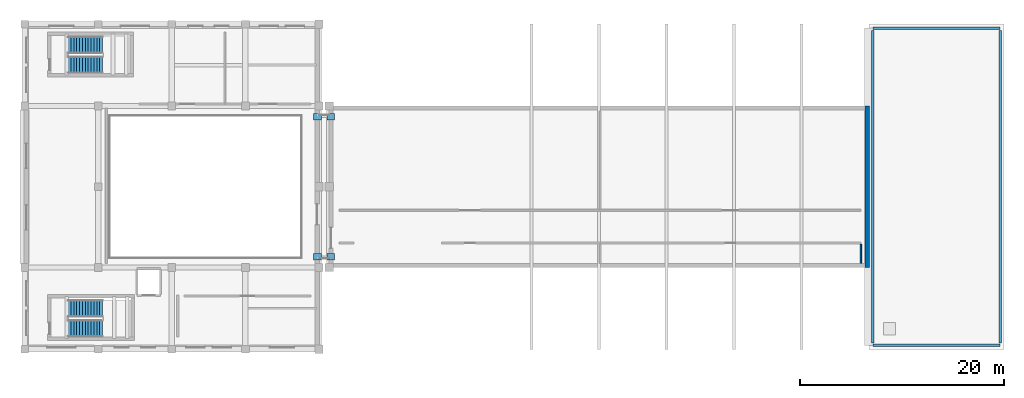
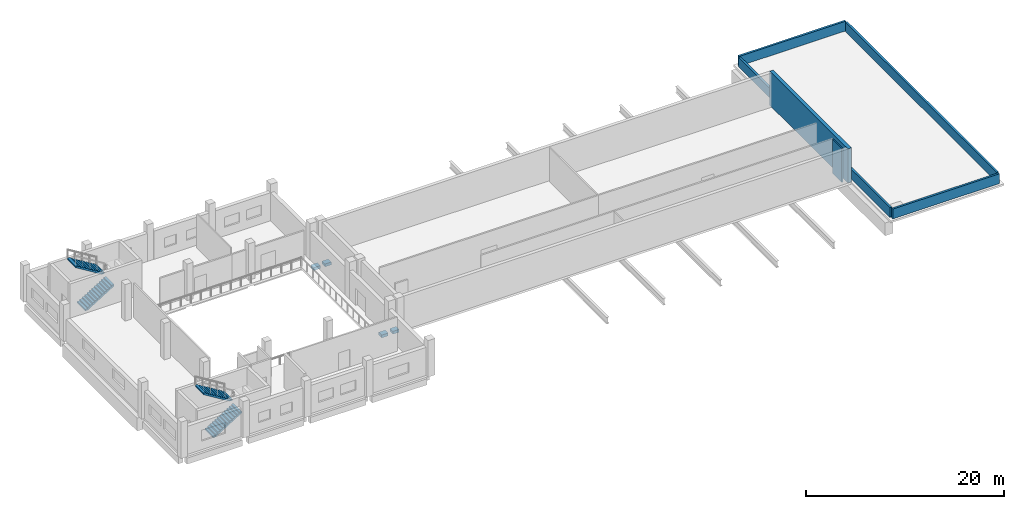
# One storey, part 5 of 7: 6 walls, 4 discrete accessories, 4 stair flights, 2 elements without a shape of their own.
"""IFC4 building model written with IfcOpenShell, lengths in metres."""

import ifcopenshell
import ifcopenshell.guid

model = None  # the IFC model being written
_history = None  # IfcOwnerHistory: only IFC2X3 demands one
_inside = {}  # id of a spatial element -> (the spatial element, [elements in it])
_under = {}  # id of a project, library or spatial element -> (it, [spatial elements below it])
_declared = {}  # id of a project -> (the project, [libraries it declares])
_typed = {}  # id of a type object -> (the type object, [elements of that type])
_made_of = {}  # id of a material, layer set ... -> (it, [elements and type objects made of it])


def new_model(schema):
    """Start an empty IFC model of exactly this schema.

    Asked for "IFC4X3", IfcOpenShell would pick the latest addendum, in which some entities
    have other attributes; the version numbers below select the first issue.
    IFC2X3 requires an IfcOwnerHistory on every rooted entity: one is made here for all.
    """
    global model, _history
    if schema == "IFC4X3":
        model = ifcopenshell.file(schema_version=(4, 3, 0, 0))
    else:
        model = ifcopenshell.file(schema=schema)
    _inside.clear()
    _under.clear()
    _declared.clear()
    _typed.clear()
    _made_of.clear()
    _history = None
    if model.schema == "IFC2X3":
        org = make("IfcOrganization", Name="unknown")
        user = make(
            "IfcPersonAndOrganization",
            ThePerson=make("IfcPerson", FamilyName="unknown"),
            TheOrganization=org,
        )
        app = make(
            "IfcApplication",
            ApplicationDeveloper=org,
            Version="unknown",
            ApplicationFullName="unknown",
            ApplicationIdentifier="unknown",
        )
        _history = make(
            "IfcOwnerHistory",
            OwningUser=user,
            OwningApplication=app,
            ChangeAction="ADDED",
            CreationDate=0,
        )
    return model


def make(cls, **values):
    """One entity of the class cls with the attributes given. An attribute that is None is left unset."""
    return model.create_entity(
        cls, **{name: value for name, value in values.items() if value is not None}
    )


def rooted(cls, **values):
    """An entity with a GlobalId (a new one), such as an element, a storey or a relation."""
    return make(cls, GlobalId=ifcopenshell.guid.new(), OwnerHistory=_history, **values)


def si_unit(unit_type, name, prefix=None):
    """IfcSIUnit, for example si_unit("LENGTHUNIT", "METRE", prefix="MILLI")."""
    return make("IfcSIUnit", UnitType=unit_type, Prefix=prefix, Name=name)


def assignment(units):
    """IfcUnitAssignment: the units of a project."""
    return None if units is None else make("IfcUnitAssignment", Units=units)


def point(xyz):
    """IfcCartesianPoint."""
    return None if xyz is None else make("IfcCartesianPoint", Coordinates=xyz)


def direction(xyz):
    """IfcDirection."""
    return None if xyz is None else make("IfcDirection", DirectionRatios=xyz)


def frame(location, z_axis=None, x_axis=None):
    """IfcAxis2Placement3D, a coordinate frame: its origin and axes. An axis left out is left unset."""
    return make(
        "IfcAxis2Placement3D",
        Location=point(location),
        Axis=direction(z_axis),
        RefDirection=direction(x_axis),
    )


def frame_2d(location, x_axis=None):
    """IfcAxis2Placement2D, a coordinate frame in the plane: its origin and x axis."""
    return make(
        "IfcAxis2Placement2D", Location=point(location), RefDirection=direction(x_axis)
    )


def origin():
    """The frame at (0, 0, 0) with its axes left unset."""
    return frame((0.0, 0.0, 0.0))


def origin_2d():
    """The frame at (0, 0) in the plane with its x axis left unset."""
    return frame_2d((0.0, 0.0))


def place(relative_to, where):
    """IfcLocalPlacement: puts the frame where relative to a parent placement (None: the world)."""
    return make(
        "IfcLocalPlacement", PlacementRelTo=relative_to, RelativePlacement=where
    )


def context(
    kind, dimensions, precision=None, world=None, true_north=None, identifier=None
):
    """IfcGeometricRepresentationContext, for example the 3D "Model" context."""
    return make(
        "IfcGeometricRepresentationContext",
        ContextIdentifier=identifier,
        ContextType=kind,
        CoordinateSpaceDimension=dimensions,
        Precision=precision,
        WorldCoordinateSystem=world,
        TrueNorth=true_north,
    )


def subcontext(parent, identifier, kind, view, scale=None):
    """IfcGeometricRepresentationSubContext, for example "Body" below "Model"."""
    return make(
        "IfcGeometricRepresentationSubContext",
        ContextIdentifier=identifier,
        ContextType=kind,
        ParentContext=parent,
        TargetScale=scale,
        TargetView=view,
    )


def project(units=None, contexts=None):
    """IfcProject with its units and contexts."""
    return rooted(
        "IfcProject",
        Name="project",
        RepresentationContexts=contexts,
        UnitsInContext=assignment(units),
    )


def spatial(cls, under=None, at=None, **own):
    """A site, building, storey or space (cls), placed at a placement, below another one or the project."""
    s = rooted(cls, ObjectPlacement=at, **own)
    if under is not None:
        _under.setdefault(under.id(), (under, []))[1].append(s)
    return s


def polyline(points):
    """IfcPolyline through the points."""
    return make("IfcPolyline", Points=[point(p) for p in points])


def profile(cls, at=None, kind="AREA", **sizes):
    """A parametric profile (cls). Its sizes go by their IFC names, for example OverallWidth=200.0."""
    return make(cls, ProfileType=kind, Position=at, **sizes)


def rectangle(**sizes):
    """IfcRectangleProfileDef."""
    return profile("IfcRectangleProfileDef", **sizes)


def outline(outer, holes=None, kind="AREA"):
    """IfcArbitraryClosedProfileDef: a profile drawn as a closed curve; with holes, ...WithVoids."""
    if holes is None:
        return make("IfcArbitraryClosedProfileDef", ProfileType=kind, OuterCurve=outer)
    return make(
        "IfcArbitraryProfileDefWithVoids",
        ProfileType=kind,
        OuterCurve=outer,
        InnerCurves=holes,
    )


def extrude(swept, where, along, depth):
    """IfcExtrudedAreaSolid: the profile swept, set in the frame where, extruded along a direction by depth."""
    return make(
        "IfcExtrudedAreaSolid",
        SweptArea=swept,
        Position=where,
        ExtrudedDirection=direction(along),
        Depth=depth,
    )


def shape(context_of_items, identifier, shape_type, items):
    """IfcShapeRepresentation: the items that make up one representation, for example the "Body"."""
    return make(
        "IfcShapeRepresentation",
        ContextOfItems=context_of_items,
        RepresentationIdentifier=identifier,
        RepresentationType=shape_type,
        Items=items,
    )


def material(Name=None, Category=None):
    """IfcMaterial."""
    return make("IfcMaterial", Name=Name, Category=Category)


def layer(
    of_material, thickness, ventilated=None, Name=None, Category=None, Priority=None
):
    """IfcMaterialLayer: one layer of a wall or slab, of a material (None: an air gap)."""
    return make(
        "IfcMaterialLayer",
        Material=of_material,
        LayerThickness=thickness,
        IsVentilated=ventilated,
        Name=Name,
        Category=Category,
        Priority=Priority,
    )


def layer_set(layers, Name=None):
    """IfcMaterialLayerSet."""
    return make("IfcMaterialLayerSet", MaterialLayers=layers, LayerSetName=Name)


def made_of(thing, what):
    """Note that an element or type object is made of a material, layer set ...; save() writes the relation."""
    if what is not None:
        _made_of.setdefault(what.id(), (what, []))[1].append(thing)
    return thing


def type_object(cls, material=None, **own):
    """A type object (cls), such as IfcWallType, which elements share."""
    return made_of(rooted(cls, **own), material)


def element(
    cls,
    number,
    at=None,
    inside=None,
    cuts=None,
    type_object=None,
    material=None,
    context=None,
    identifier="Body",
    shape_type=None,
    held_by="IfcProductDefinitionShape",
    body=None,
    shapes=None,
    **own,
):
    """One element of the class cls, such as IfcWall. Its Tag is "e" and its number.

    at: its placement. inside: the storey or other place that contains it. cuts: it is an
    opening in that element (IfcRelVoidsElement). A single representation is given by context,
    identifier, shape_type and body (its items); several are given by shapes. held_by: the class
    of the entity that holds the representations. save() writes the other relations.
    """
    e = rooted(cls, Tag="e%d" % number, ObjectPlacement=at, **own)
    if body is not None:
        shapes = [shape(context, identifier, shape_type, body)]
    if shapes is not None:
        e.Representation = make(held_by, Representations=shapes)
    if inside is not None:
        _inside.setdefault(inside.id(), (inside, []))[1].append(e)
    if cuts is not None:
        rooted(
            "IfcRelVoidsElement", RelatingBuildingElement=cuts, RelatedOpeningElement=e
        )
    if type_object is not None:
        _typed.setdefault(type_object.id(), (type_object, []))[1].append(e)
    return made_of(e, material)


def aggregate(whole, parts):
    """IfcRelAggregates: a whole, such as a stair, and the parts it consists of."""
    return rooted("IfcRelAggregates", RelatingObject=whole, RelatedObjects=parts)


def save(model, path):
    """Write the relations noted so far, then the file.

    IfcRelAggregates (storeys below a building ...), IfcRelContainedInSpatialStructure (elements
    in a storey), IfcRelDefinesByType, IfcRelAssociatesMaterial and IfcRelDeclares: one each for
    every whole, place, type object, material and project.
    """
    for whole, parts in _under.values():
        aggregate(whole, parts)
    for where, things in _inside.values():
        rooted(
            "IfcRelContainedInSpatialStructure",
            RelatedElements=things,
            RelatingStructure=where,
        )
    for kind, things in _typed.values():
        rooted("IfcRelDefinesByType", RelatedObjects=things, RelatingType=kind)
    for what, things in _made_of.values():
        rooted("IfcRelAssociatesMaterial", RelatedObjects=things, RelatingMaterial=what)
    for by, libraries in _declared.values():
        rooted("IfcRelDeclares", RelatingContext=by, RelatedDefinitions=libraries)
    model.write(path)


model = new_model("IFC4")

# Units and contexts
model_context = context("Model", 3, precision=1e-05, world=origin(), true_north=direction((0.0, 1.0)))
body_context = subcontext(model_context, "Body", "Model", "MODEL_VIEW")
ifc_project = project(units=[si_unit("LENGTHUNIT", "METRE"), si_unit("AREAUNIT", "SQUARE_METRE"), si_unit("VOLUMEUNIT", "CUBIC_METRE"), si_unit("PLANEANGLEUNIT", "RADIAN"), si_unit("MASSUNIT", "GRAM", prefix="KILO")], contexts=[model_context])

# Site, building, storey
site_placement = place(None, origin())
site = spatial("IfcSite", under=ifc_project, at=site_placement, CompositionType="ELEMENT")
building_placement = place(site_placement, origin())
building = spatial("IfcBuilding", under=site, at=building_placement, Name="Kelarvand Opera House", CompositionType="ELEMENT")
storey_placement = place(building_placement, frame((0.0, 0.0, 24.0)))
storey = spatial("IfcBuildingStorey", under=building, at=storey_placement, Name="L05", CompositionType="ELEMENT", Elevation=24.0)

# Walls
ifc_material_1 = material(Name="Concrete C35/45", Category="concrete")
ifc_layer_1 = layer(ifc_material_1, 0.39990234375, Name="Concrete C35/45", Category="concrete")
ifc_layer_set_1 = layer_set([ifc_layer_1], Name="Concrete C35/45")
wall_type_1 = type_object("IfcWallType", Name="Acoustic Brick-Travertine Double Wall 400", PredefinedType="SOLIDWALL", material=ifc_layer_set_1)
wall_1_placement = place(storey_placement, frame((141.6201171875, 70.39990234375, 0.0), z_axis=(0.0, 0.0, 1.0), x_axis=(0.0, -1.0, 0.0)))
element("IfcWall", 1, at=wall_1_placement, inside=storey, type_object=wall_type_1, Name="V1 L05 Exterior Wall EW-400 (171)", PredefinedType="SOLIDWALL", context=body_context, shape_type="SweptSolid", body=[
    extrude(rectangle(XDim=15.7998046875, YDim=0.39990234375, at=frame_2d((7.89990234375, 0.0))), origin(), (0.0, 0.0, 1.0), 4.199951171875),
])
ifc_material_2 = material(Name="Acoustic double-stud gypsum partition")
ifc_layer_2 = layer(ifc_material_2, 0.14990234375, Name="Acoustic double-stud gypsum partition")
ifc_layer_set_2 = layer_set([ifc_layer_2], Name="Acoustic double-stud gypsum partition")
wall_type_2 = type_object("IfcWallType", Name="Acoustic Room Partition Wall 150", PredefinedType="PARTITIONING", material=ifc_layer_set_2)
wall_2_placement = place(storey_placement, frame((141.0, 55.0, 0.0), z_axis=(0.0, 0.0, 1.0), x_axis=(0.0, 1.0, 0.0)))
element("IfcWall", 2, at=wall_2_placement, inside=storey, type_object=wall_type_2, Name="V1 L05 Partition Wall IW-150 (669)", PredefinedType="PARTITIONING", context=body_context, shape_type="SweptSolid", body=[
    extrude(rectangle(XDim=1.860107421875, YDim=0.14990234375, at=frame_2d((0.93017578125, 0.0))), origin(), (0.0, 0.0, 1.0), 4.19189453125),
])
ifc_layer_3 = layer(ifc_material_1, 0.239990234375, Name="Concrete C35/45", Category="concrete")
ifc_layer_set_3 = layer_set([ifc_layer_3], Name="Concrete C35/45")
wall_type_3 = type_object("IfcWallType", Name="Capped Travertine Roof Parapet 240", PredefinedType="PARAPET", material=ifc_layer_set_3)
for number, where, z_axis, x_axis, name in (
    (3, (142.179931640625, 46.97998046875, 0.0), (0.0, 0.0, 1.0), (1.0, 0.0, 0.0), "V1 Roof Parapet 1"),
    (4, (154.6201171875, 78.02001953125, 0.0), (0.0, 0.0, 1.0), (-1.0, 0.0, 0.0), "V1 Roof Parapet 2"),
):
    element("IfcWall", number, at=place(storey_placement, frame(where, z_axis=z_axis, x_axis=x_axis)), inside=storey, type_object=wall_type_3, Name=name, PredefinedType="PARAPET", context=body_context, shape_type="SweptSolid", body=[
        extrude(rectangle(XDim=12.440185546875, YDim=0.239990234375, at=frame_2d((6.22021484375, 0.0))), origin(), (0.0, 0.0, 1.0), 1.199951171875),
    ])
for number, where, z_axis, x_axis, name in (
    (5, (142.179931640625, 77.780029296875, 0.0), (0.0, 0.0, 1.0), (0.0, -1.0, 0.0), "V1 Roof Parapet 3"),
    (6, (154.6201171875, 47.219970703125, 0.0), (0.0, 0.0, 1.0), (0.0, 1.0, 0.0), "V1 Roof Parapet 4"),
):
    element("IfcWall", number, at=place(storey_placement, frame(where, z_axis=z_axis, x_axis=x_axis)), inside=storey, type_object=wall_type_3, Name=name, PredefinedType="PARAPET", context=body_context, shape_type="SweptSolid", body=[
        extrude(rectangle(XDim=30.56005859375, YDim=0.239990234375, at=frame_2d((15.280029296875, 0.0))), origin(), (0.0, 0.0, 1.0), 1.199951171875),
    ])

# Stair, stair flights
stair_type = type_object("IfcStairType", Name="Dogleg Concrete Exit Stair 1660mm 26R STA-03", PredefinedType="HALF_TURN_STAIR", material=ifc_material_1)
stair_1_placement = place(storey_placement, origin())
stair_1 = element("IfcStair", 7, at=stair_1_placement, inside=storey, type_object=stair_type, Name="L05 Stage House South Firefighting and Goods Core C2 Stair ST-02", PredefinedType="HALF_TURN_STAIR")
stair_flight_type = type_object("IfcStairFlightType", Name="Precast Stair Flight 1660mm 13x173mm STF-03", PredefinedType="STRAIGHT", material=ifc_material_1)
stair_flight_1_placement = place(storey_placement, frame((63.4599609375, 48.6298828125, 0.0), z_axis=(0.0, 0.0, 1.0), x_axis=(1.0, 0.0, 0.0)))
stair_flight_1 = element("IfcStairFlight", 8, at=stair_flight_1_placement, type_object=stair_flight_type, Name="ST-02 flight 1", NumberOfRisers=13, NumberOfTreads=12, PredefinedType="STRAIGHT", RiserHeight=0.173076923, TreadLength=0.28, context=body_context, shape_type="SweptSolid", body=[
    extrude(outline(polyline([(0.0, 0.0), (0.0, 0.173095703125), (0.280029296875, 0.173095703125), (0.280029296875, 0.34619140625), (0.56005859375, 0.34619140625), (0.56005859375, 0.519287109375), (0.840087890625, 0.519287109375), (0.840087890625, 0.6923828125), (1.1201171875, 0.6923828125), (1.1201171875, 0.865478515625), (1.39990234375, 0.865478515625), (1.39990234375, 1.03857421875), (1.679931640625, 1.03857421875), (1.679931640625, 1.21142578125), (1.9599609375, 1.21142578125), (1.9599609375, 1.384521484375), (2.239990234375, 1.384521484375), (2.239990234375, 1.5576171875), (2.52001953125, 1.5576171875), (2.52001953125, 1.730712890625), (2.800048828125, 1.730712890625), (2.800048828125, 1.90380859375), (3.080078125, 1.90380859375), (3.080078125, 2.076904296875), (3.360107421875, 2.076904296875), (3.360107421875, 2.25), (3.360107421875, 1.888916015625), (0.30419921875, 0.0), (0.0, 0.0)])), frame((0.0, 0.830078125, 0.0), z_axis=(0.0, -1.0, 0.0), x_axis=(1.0, 0.0, 0.0)), (0.0, 0.0, 1.0), 1.659912109375),
])
stair_flight_2_placement = place(storey_placement, frame((66.820068359375, 50.570068359375, 2.25), z_axis=(0.0, 0.0, 1.0), x_axis=(-1.0, 0.0, 0.0)))
stair_flight_2 = element("IfcStairFlight", 9, at=stair_flight_2_placement, type_object=stair_flight_type, Name="ST-02 flight 2", NumberOfRisers=13, NumberOfTreads=12, PredefinedType="STRAIGHT", RiserHeight=0.173076923, TreadLength=0.28, context=body_context, shape_type="SweptSolid", body=[
    extrude(outline(polyline([(0.0, 0.0), (0.0, 0.173095703125), (0.280029296875, 0.173095703125), (0.280029296875, 0.34619140625), (0.56005859375, 0.34619140625), (0.56005859375, 0.519287109375), (0.840087890625, 0.519287109375), (0.840087890625, 0.6923828125), (1.1201171875, 0.6923828125), (1.1201171875, 0.865478515625), (1.39990234375, 0.865478515625), (1.39990234375, 1.03857421875), (1.679931640625, 1.03857421875), (1.679931640625, 1.21142578125), (1.9599609375, 1.21142578125), (1.9599609375, 1.384521484375), (2.239990234375, 1.384521484375), (2.239990234375, 1.5576171875), (2.52001953125, 1.5576171875), (2.52001953125, 1.730712890625), (2.800048828125, 1.730712890625), (2.800048828125, 1.90380859375), (3.080078125, 1.90380859375), (3.080078125, 2.076904296875), (3.360107421875, 2.076904296875), (3.360107421875, 2.25), (3.360107421875, 1.888916015625), (0.30419921875, 0.0), (0.0, 0.0)])), frame((0.0, 0.830078125, 0.0), z_axis=(0.0, -1.0, 0.0), x_axis=(1.0, 0.0, 0.0)), (0.0, 0.0, 1.0), 1.659912109375),
])
aggregate(stair_1, [stair_flight_1, stair_flight_2])

stair_2_placement = place(storey_placement, origin())
stair_2 = element("IfcStair", 10, at=stair_2_placement, inside=storey, type_object=stair_type, Name="L05 Fly Tower North Technical Core C3 Stair ST-03", PredefinedType="HALF_TURN_STAIR")
stair_flight_3_placement = place(storey_placement, frame((63.4599609375, 74.429931640625, 0.0), z_axis=(0.0, 0.0, 1.0), x_axis=(1.0, 0.0, 0.0)))
stair_flight_3 = element("IfcStairFlight", 11, at=stair_flight_3_placement, type_object=stair_flight_type, Name="ST-03 flight 1", NumberOfRisers=13, NumberOfTreads=12, PredefinedType="STRAIGHT", RiserHeight=0.173076923, TreadLength=0.28, context=body_context, shape_type="SweptSolid", body=[
    extrude(outline(polyline([(0.0, 0.0), (0.0, 0.173095703125), (0.280029296875, 0.173095703125), (0.280029296875, 0.34619140625), (0.56005859375, 0.34619140625), (0.56005859375, 0.519287109375), (0.840087890625, 0.519287109375), (0.840087890625, 0.6923828125), (1.1201171875, 0.6923828125), (1.1201171875, 0.865478515625), (1.39990234375, 0.865478515625), (1.39990234375, 1.03857421875), (1.679931640625, 1.03857421875), (1.679931640625, 1.21142578125), (1.9599609375, 1.21142578125), (1.9599609375, 1.384521484375), (2.239990234375, 1.384521484375), (2.239990234375, 1.5576171875), (2.52001953125, 1.5576171875), (2.52001953125, 1.730712890625), (2.800048828125, 1.730712890625), (2.800048828125, 1.90380859375), (3.080078125, 1.90380859375), (3.080078125, 2.076904296875), (3.360107421875, 2.076904296875), (3.360107421875, 2.25), (3.360107421875, 1.888916015625), (0.30419921875, 0.0), (0.0, 0.0)])), frame((0.0, 0.830078125, 0.0), z_axis=(0.0, -1.0, 0.0), x_axis=(1.0, 0.0, 0.0)), (0.0, 0.0, 1.0), 1.659912109375),
])
stair_flight_4_placement = place(storey_placement, frame((66.820068359375, 76.3701171875, 2.25), z_axis=(0.0, 0.0, 1.0), x_axis=(-1.0, 0.0, 0.0)))
stair_flight_4 = element("IfcStairFlight", 12, at=stair_flight_4_placement, type_object=stair_flight_type, Name="ST-03 flight 2", NumberOfRisers=13, NumberOfTreads=12, PredefinedType="STRAIGHT", RiserHeight=0.173076923, TreadLength=0.28, context=body_context, shape_type="SweptSolid", body=[
    extrude(outline(polyline([(0.0, 0.0), (0.0, 0.173095703125), (0.280029296875, 0.173095703125), (0.280029296875, 0.34619140625), (0.56005859375, 0.34619140625), (0.56005859375, 0.519287109375), (0.840087890625, 0.519287109375), (0.840087890625, 0.6923828125), (1.1201171875, 0.6923828125), (1.1201171875, 0.865478515625), (1.39990234375, 0.865478515625), (1.39990234375, 1.03857421875), (1.679931640625, 1.03857421875), (1.679931640625, 1.21142578125), (1.9599609375, 1.21142578125), (1.9599609375, 1.384521484375), (2.239990234375, 1.384521484375), (2.239990234375, 1.5576171875), (2.52001953125, 1.5576171875), (2.52001953125, 1.730712890625), (2.800048828125, 1.730712890625), (2.800048828125, 1.90380859375), (3.080078125, 1.90380859375), (3.080078125, 2.076904296875), (3.360107421875, 2.076904296875), (3.360107421875, 2.25), (3.360107421875, 1.888916015625), (0.30419921875, 0.0), (0.0, 0.0)])), frame((0.0, 0.830078125, 0.0), z_axis=(0.0, -1.0, 0.0), x_axis=(1.0, 0.0, 0.0)), (0.0, 0.0, 1.0), 1.659912109375),
])
aggregate(stair_2, [stair_flight_3, stair_flight_4])

# Discrete accessories
ifc_material_3 = material(Name="Concrete C40/50", Category="concrete")
discrete_accessory_type = type_object("IfcDiscreteAccessoryType", Name="Seismic Bridge RC Corbel Seat 750mm with 250mm PTFE Sliding Bearing", PredefinedType="SHOE", material=ifc_material_3)
for number, where, z_axis, x_axis, name in (
    (13, (87.85009765625, 55.64990234375, -0.675048828125), (0.0, 0.0, 1.0), (1.0, 0.0, 0.0), "Seismic Bridge 750mm Corbel Seat & 250mm PTFE Bearing BR-JP-L5 L05 1.1"),
    (14, (89.14990234375, 55.64990234375, -0.675048828125), (0.0, 0.0, 1.0), (1.0, 0.0, 0.0), "Seismic Bridge 750mm Corbel Seat & 250mm PTFE Bearing BR-JP-L5 L05 1.2"),
    (15, (87.85009765625, 69.35009765625, -0.675048828125), (0.0, 0.0, 1.0), (1.0, 0.0, 0.0), "Seismic Bridge 750mm Corbel Seat & 250mm PTFE Bearing BR-JP-L5 L05 2.1"),
    (16, (89.14990234375, 69.35009765625, -0.675048828125), (0.0, 0.0, 1.0), (1.0, 0.0, 0.0), "Seismic Bridge 750mm Corbel Seat & 250mm PTFE Bearing BR-JP-L5 L05 2.2"),
):
    element("IfcDiscreteAccessory", number, at=place(storey_placement, frame(where, z_axis=z_axis, x_axis=x_axis)), inside=storey, type_object=discrete_accessory_type, Name=name, PredefinedType="SHOE", context=body_context, shape_type="SweptSolid", body=[
        extrude(rectangle(XDim=0.75, YDim=0.60009765625, at=origin_2d()), origin(), (0.0, 0.0, 1.0), 0.35009765625),
    ])

save(model, "model.ifc")
